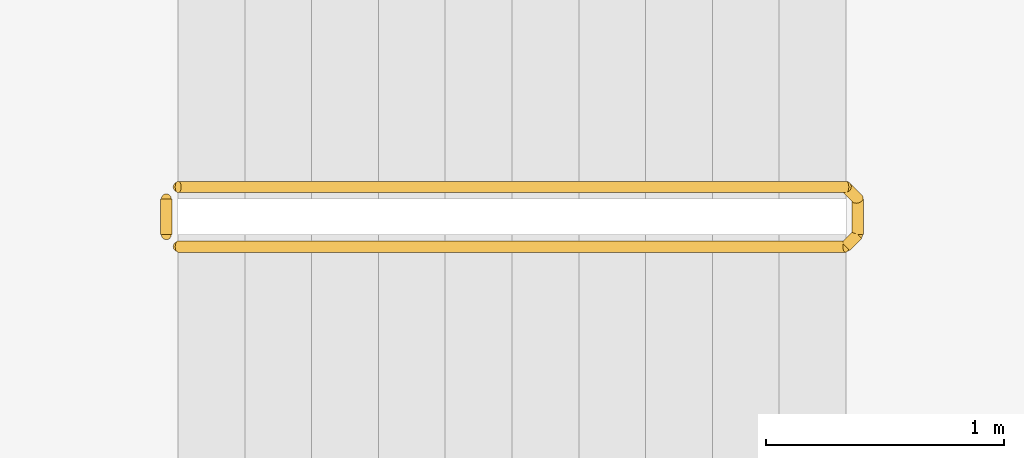
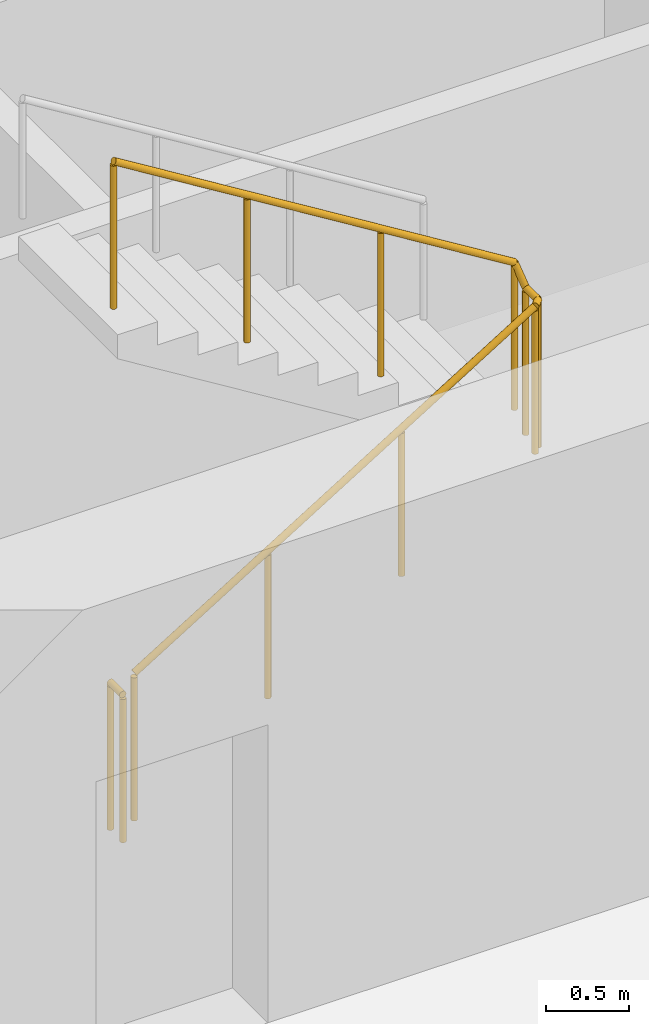
# One storey, part 10 of 14: 2 railings.
"""IFC4 building model written with IfcOpenShell, lengths in metres."""

from ifc_helpers import new_model, si_unit, direction, frame, origin, origin_2d, place, context, subcontext, project, spatial, circle, extrude, material, type_object, element, save


model = new_model("IFC4")

# Units and contexts
model_context = context("Model", 3, precision=1e-05, world=origin(), true_north=direction((0.0, 1.0)))
body_context = subcontext(model_context, "Body", "Model", "MODEL_VIEW")
ifc_project = project(units=[si_unit("LENGTHUNIT", "METRE"), si_unit("AREAUNIT", "SQUARE_METRE"), si_unit("VOLUMEUNIT", "CUBIC_METRE"), si_unit("PLANEANGLEUNIT", "RADIAN"), si_unit("MASSUNIT", "GRAM", prefix="KILO")], contexts=[model_context])

# Site, building, storey
site_placement = place(None, origin())
site = spatial("IfcSite", under=ifc_project, at=site_placement, CompositionType="ELEMENT")
building_placement = place(site_placement, origin())
building = spatial("IfcBuilding", under=site, at=building_placement, Name="Orbiselva Terraces", CompositionType="ELEMENT")
storey_placement = place(building_placement, frame((0.0, 0.0, 22.6)))
storey = spatial("IfcBuildingStorey", under=building, at=storey_placement, Name="L05", CompositionType="ELEMENT", Elevation=22.6)

# Railings
ifc_material = material(Name="Stainless steel", Category="steel")
railing_type = type_object("IfcRailingType", Name="CORE-GUARD-1100", PredefinedType="GUARDRAIL", material=ifc_material)
railing_1_placement = place(storey_placement, frame((-7.15, 6.55, 0.172727)))
element("IfcRailing", 1, at=railing_1_placement, inside=storey, type_object=railing_type, Name="L05 S3 stair guard 1", PredefinedType="GUARDRAIL", context=body_context, shape_type="SweptSolid", body=[
    extrude(circle(Radius=0.024, at=origin_2d()), frame((0.0, 0.0, 1.081), z_axis=(0.851088519012, 0.0, 0.52502222125), x_axis=(0.0, 1.0, 0.0)), (0.0, 0.0, 1.0), 3.289905),
    extrude(circle(Radius=0.024, at=origin_2d()), frame((2.8, 0.0, 2.808273), z_axis=(0.707106781187, 0.707106781187, 0.0), x_axis=(-0.707106781187, 0.707106781187, 0.0)), (0.0, 0.0, 1.0), 0.070711),
    extrude(circle(Radius=0.024, at=origin_2d()), frame((2.85, 0.05, 2.808273), z_axis=(0.0, 1.0, 0.0), x_axis=(-1.0, 0.0, 0.0)), (0.0, 0.0, 1.0), 0.15),
    extrude(circle(Radius=0.024, at=origin_2d()), frame((2.85, 0.2, 2.808273), z_axis=(-0.267894925557, 0.267894925557, 0.925453736133), x_axis=(-0.707106781187, -0.707106781187, 0.0)), (0.0, 0.0, 1.0), 0.18664),
    extrude(circle(Radius=0.024, at=origin_2d()), frame((2.8, 0.25, 2.981), z_axis=(-0.851088519012, 0.0, 0.52502222125), x_axis=(0.0, -1.0, 0.0)), (0.0, 0.0, 1.0), 3.289905),
    extrude(circle(Radius=0.021, at=origin_2d()), origin(), (0.0, 0.0, 1.0), 1.057),
    extrude(circle(Radius=0.021, at=origin_2d()), frame((0.933333, 0.0, 0.575758)), (0.0, 0.0, 1.0), 1.057),
    extrude(circle(Radius=0.021, at=origin_2d()), frame((1.866667, 0.0, 1.151515)), (0.0, 0.0, 1.0), 1.057),
    extrude(circle(Radius=0.021, at=origin_2d()), frame((2.8, 0.0, 1.727273)), (0.0, 0.0, 1.0), 1.057),
    extrude(circle(Radius=0.021, at=origin_2d()), frame((2.85, 0.05, 1.727273)), (0.0, 0.0, 1.0), 1.057),
    extrude(circle(Radius=0.021, at=origin_2d()), frame((2.85, 0.2, 1.727273)), (0.0, 0.0, 1.0), 1.057),
    extrude(circle(Radius=0.021, at=origin_2d()), frame((2.8, 0.25, 1.9)), (0.0, 0.0, 1.0), 1.057),
    extrude(circle(Radius=0.021, at=origin_2d()), frame((1.866667, 0.25, 2.475758)), (0.0, 0.0, 1.0), 1.057),
    extrude(circle(Radius=0.021, at=origin_2d()), frame((0.933333, 0.25, 3.051515)), (0.0, 0.0, 1.0), 1.057),
    extrude(circle(Radius=0.021, at=origin_2d()), frame((0.0, 0.25, 3.627273)), (0.0, 0.0, 1.0), 1.057),
])
railing_2_placement = place(storey_placement, frame((-7.2, 6.6, 0.0)))
element("IfcRailing", 2, at=railing_2_placement, inside=storey, type_object=railing_type, Name="L05 S3 stair guard 2", PredefinedType="GUARDRAIL", context=body_context, shape_type="SweptSolid", body=[
    extrude(circle(Radius=0.024, at=origin_2d()), frame((0.0, 0.0, 1.081), z_axis=(0.0, 1.0, 0.0), x_axis=(-1.0, 0.0, 0.0)), (0.0, 0.0, 1.0), 0.15),
    extrude(circle(Radius=0.021, at=origin_2d()), origin(), (0.0, 0.0, 1.0), 1.057),
    extrude(circle(Radius=0.021, at=origin_2d()), frame((0.0, 0.15, 0.0)), (0.0, 0.0, 1.0), 1.057),
])

save(model, "model.ifc")
